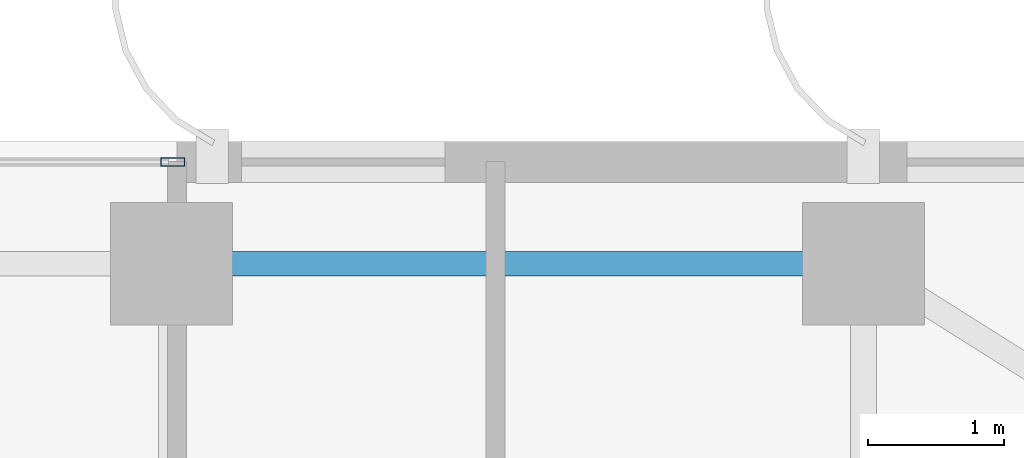
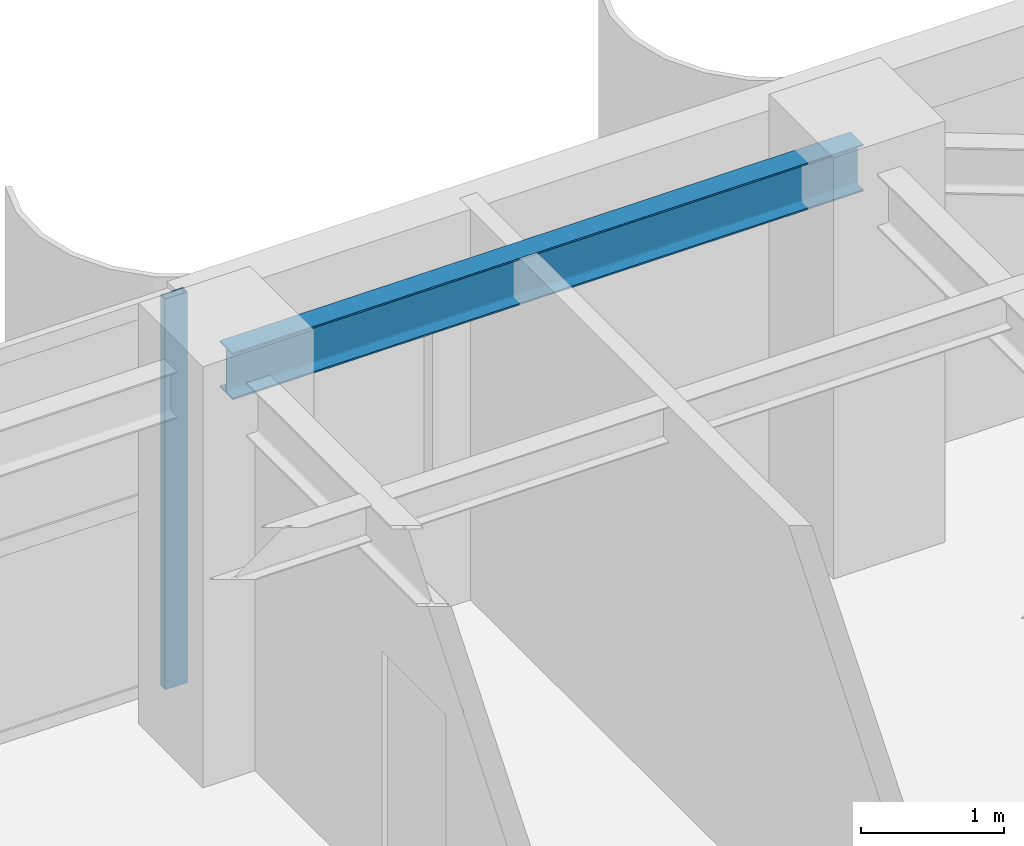
# One storey, part 17 of 25: 1 beam, 1 member, 1 element without a shape of its own.
"""IFC4 building model written with IfcOpenShell, lengths in metres."""

import ifcopenshell
import ifcopenshell.guid

model = None  # the IFC model being written
_history = None  # IfcOwnerHistory: only IFC2X3 demands one
_inside = {}  # id of a spatial element -> (the spatial element, [elements in it])
_under = {}  # id of a project, library or spatial element -> (it, [spatial elements below it])
_declared = {}  # id of a project -> (the project, [libraries it declares])
_typed = {}  # id of a type object -> (the type object, [elements of that type])
_made_of = {}  # id of a material, layer set ... -> (it, [elements and type objects made of it])


def new_model(schema):
    """Start an empty IFC model of exactly this schema.

    Asked for "IFC4X3", IfcOpenShell would pick the latest addendum, in which some entities
    have other attributes; the version numbers below select the first issue.
    IFC2X3 requires an IfcOwnerHistory on every rooted entity: one is made here for all.
    """
    global model, _history
    if schema == "IFC4X3":
        model = ifcopenshell.file(schema_version=(4, 3, 0, 0))
    else:
        model = ifcopenshell.file(schema=schema)
    _inside.clear()
    _under.clear()
    _declared.clear()
    _typed.clear()
    _made_of.clear()
    _history = None
    if model.schema == "IFC2X3":
        org = make("IfcOrganization", Name="unknown")
        user = make(
            "IfcPersonAndOrganization",
            ThePerson=make("IfcPerson", FamilyName="unknown"),
            TheOrganization=org,
        )
        app = make(
            "IfcApplication",
            ApplicationDeveloper=org,
            Version="unknown",
            ApplicationFullName="unknown",
            ApplicationIdentifier="unknown",
        )
        _history = make(
            "IfcOwnerHistory",
            OwningUser=user,
            OwningApplication=app,
            ChangeAction="ADDED",
            CreationDate=0,
        )
    return model


def make(cls, **values):
    """One entity of the class cls with the attributes given. An attribute that is None is left unset."""
    return model.create_entity(
        cls, **{name: value for name, value in values.items() if value is not None}
    )


def rooted(cls, **values):
    """An entity with a GlobalId (a new one), such as an element, a storey or a relation."""
    return make(cls, GlobalId=ifcopenshell.guid.new(), OwnerHistory=_history, **values)


def si_unit(unit_type, name, prefix=None):
    """IfcSIUnit, for example si_unit("LENGTHUNIT", "METRE", prefix="MILLI")."""
    return make("IfcSIUnit", UnitType=unit_type, Prefix=prefix, Name=name)


def assignment(units):
    """IfcUnitAssignment: the units of a project."""
    return None if units is None else make("IfcUnitAssignment", Units=units)


def point(xyz):
    """IfcCartesianPoint."""
    return None if xyz is None else make("IfcCartesianPoint", Coordinates=xyz)


def direction(xyz):
    """IfcDirection."""
    return None if xyz is None else make("IfcDirection", DirectionRatios=xyz)


def frame(location, z_axis=None, x_axis=None):
    """IfcAxis2Placement3D, a coordinate frame: its origin and axes. An axis left out is left unset."""
    return make(
        "IfcAxis2Placement3D",
        Location=point(location),
        Axis=direction(z_axis),
        RefDirection=direction(x_axis),
    )


def frame_2d(location, x_axis=None):
    """IfcAxis2Placement2D, a coordinate frame in the plane: its origin and x axis."""
    return make(
        "IfcAxis2Placement2D", Location=point(location), RefDirection=direction(x_axis)
    )


def origin():
    """The frame at (0, 0, 0) with its axes left unset."""
    return frame((0.0, 0.0, 0.0))


def origin_2d():
    """The frame at (0, 0) in the plane with its x axis left unset."""
    return frame_2d((0.0, 0.0))


def place(relative_to, where):
    """IfcLocalPlacement: puts the frame where relative to a parent placement (None: the world)."""
    return make(
        "IfcLocalPlacement", PlacementRelTo=relative_to, RelativePlacement=where
    )


def context(
    kind, dimensions, precision=None, world=None, true_north=None, identifier=None
):
    """IfcGeometricRepresentationContext, for example the 3D "Model" context."""
    return make(
        "IfcGeometricRepresentationContext",
        ContextIdentifier=identifier,
        ContextType=kind,
        CoordinateSpaceDimension=dimensions,
        Precision=precision,
        WorldCoordinateSystem=world,
        TrueNorth=true_north,
    )


def subcontext(parent, identifier, kind, view, scale=None):
    """IfcGeometricRepresentationSubContext, for example "Body" below "Model"."""
    return make(
        "IfcGeometricRepresentationSubContext",
        ContextIdentifier=identifier,
        ContextType=kind,
        ParentContext=parent,
        TargetScale=scale,
        TargetView=view,
    )


def project(units=None, contexts=None):
    """IfcProject with its units and contexts."""
    return rooted(
        "IfcProject",
        Name="project",
        RepresentationContexts=contexts,
        UnitsInContext=assignment(units),
    )


def spatial(cls, under=None, at=None, **own):
    """A site, building, storey or space (cls), placed at a placement, below another one or the project."""
    s = rooted(cls, ObjectPlacement=at, **own)
    if under is not None:
        _under.setdefault(under.id(), (under, []))[1].append(s)
    return s


def profile(cls, at=None, kind="AREA", **sizes):
    """A parametric profile (cls). Its sizes go by their IFC names, for example OverallWidth=200.0."""
    return make(cls, ProfileType=kind, Position=at, **sizes)


def hollow_rectangle(**sizes):
    """IfcRectangleHollowProfileDef."""
    return profile("IfcRectangleHollowProfileDef", **sizes)


def i_section(**sizes):
    """IfcIShapeProfileDef."""
    return profile("IfcIShapeProfileDef", **sizes)


def extrude(swept, where, along, depth):
    """IfcExtrudedAreaSolid: the profile swept, set in the frame where, extruded along a direction by depth."""
    return make(
        "IfcExtrudedAreaSolid",
        SweptArea=swept,
        Position=where,
        ExtrudedDirection=direction(along),
        Depth=depth,
    )


def shape(context_of_items, identifier, shape_type, items):
    """IfcShapeRepresentation: the items that make up one representation, for example the "Body"."""
    return make(
        "IfcShapeRepresentation",
        ContextOfItems=context_of_items,
        RepresentationIdentifier=identifier,
        RepresentationType=shape_type,
        Items=items,
    )


def source(mapping_origin, context_of_items, identifier, shape_type, items):
    """IfcRepresentationMap: a shape defined once, which mapped items show again and again."""
    return make(
        "IfcRepresentationMap",
        MappingOrigin=mapping_origin,
        MappedRepresentation=shape(context_of_items, identifier, shape_type, items),
    )


def transform(
    local_origin,
    x_axis=None,
    y_axis=None,
    z_axis=None,
    scale=None,
    scale2=None,
    scale3=None,
    uniform=True,
):
    """IfcCartesianTransformationOperator3D, or its non-uniform kind. x_axis, y_axis, z_axis: its Axis1, 2, 3."""
    if uniform:
        return make(
            "IfcCartesianTransformationOperator3D",
            Axis1=direction(x_axis),
            Axis2=direction(y_axis),
            LocalOrigin=point(local_origin),
            Scale=scale,
            Axis3=direction(z_axis),
        )
    return make(
        "IfcCartesianTransformationOperator3DnonUniform",
        Axis1=direction(x_axis),
        Axis2=direction(y_axis),
        LocalOrigin=point(local_origin),
        Scale=scale,
        Axis3=direction(z_axis),
        Scale2=scale2,
        Scale3=scale3,
    )


def mapped(mapping_source, mapping_target):
    """IfcMappedItem: shows the shape of a source again, moved by a transform."""
    return make(
        "IfcMappedItem", MappingSource=mapping_source, MappingTarget=mapping_target
    )


def material(Name=None, Category=None):
    """IfcMaterial."""
    return make("IfcMaterial", Name=Name, Category=Category)


def layer(
    of_material, thickness, ventilated=None, Name=None, Category=None, Priority=None
):
    """IfcMaterialLayer: one layer of a wall or slab, of a material (None: an air gap)."""
    return make(
        "IfcMaterialLayer",
        Material=of_material,
        LayerThickness=thickness,
        IsVentilated=ventilated,
        Name=Name,
        Category=Category,
        Priority=Priority,
    )


def layer_set(layers, Name=None):
    """IfcMaterialLayerSet."""
    return make("IfcMaterialLayerSet", MaterialLayers=layers, LayerSetName=Name)


def material_profile(
    of_material, cross_section, Name=None, Category=None, Priority=None
):
    """IfcMaterialProfile: a cross section and its material."""
    return make(
        "IfcMaterialProfile",
        Name=Name,
        Material=of_material,
        Profile=cross_section,
        Priority=Priority,
        Category=Category,
    )


def profile_set(profiles, Name=None, composite=None):
    """IfcMaterialProfileSet."""
    return make(
        "IfcMaterialProfileSet",
        Name=Name,
        MaterialProfiles=profiles,
        CompositeProfile=composite,
    )


def made_of(thing, what):
    """Note that an element or type object is made of a material, layer set ...; save() writes the relation."""
    if what is not None:
        _made_of.setdefault(what.id(), (what, []))[1].append(thing)
    return thing


def type_object(cls, material=None, **own):
    """A type object (cls), such as IfcWallType, which elements share."""
    return made_of(rooted(cls, **own), material)


def element(
    cls,
    number,
    at=None,
    inside=None,
    cuts=None,
    type_object=None,
    material=None,
    context=None,
    identifier="Body",
    shape_type=None,
    held_by="IfcProductDefinitionShape",
    body=None,
    shapes=None,
    **own,
):
    """One element of the class cls, such as IfcWall. Its Tag is "e" and its number.

    at: its placement. inside: the storey or other place that contains it. cuts: it is an
    opening in that element (IfcRelVoidsElement). A single representation is given by context,
    identifier, shape_type and body (its items); several are given by shapes. held_by: the class
    of the entity that holds the representations. save() writes the other relations.
    """
    e = rooted(cls, Tag="e%d" % number, ObjectPlacement=at, **own)
    if body is not None:
        shapes = [shape(context, identifier, shape_type, body)]
    if shapes is not None:
        e.Representation = make(held_by, Representations=shapes)
    if inside is not None:
        _inside.setdefault(inside.id(), (inside, []))[1].append(e)
    if cuts is not None:
        rooted(
            "IfcRelVoidsElement", RelatingBuildingElement=cuts, RelatedOpeningElement=e
        )
    if type_object is not None:
        _typed.setdefault(type_object.id(), (type_object, []))[1].append(e)
    return made_of(e, material)


def aggregate(whole, parts):
    """IfcRelAggregates: a whole, such as a stair, and the parts it consists of."""
    return rooted("IfcRelAggregates", RelatingObject=whole, RelatedObjects=parts)


def save(model, path):
    """Write the relations noted so far, then the file.

    IfcRelAggregates (storeys below a building ...), IfcRelContainedInSpatialStructure (elements
    in a storey), IfcRelDefinesByType, IfcRelAssociatesMaterial and IfcRelDeclares: one each for
    every whole, place, type object, material and project.
    """
    for whole, parts in _under.values():
        aggregate(whole, parts)
    for where, things in _inside.values():
        rooted(
            "IfcRelContainedInSpatialStructure",
            RelatedElements=things,
            RelatingStructure=where,
        )
    for kind, things in _typed.values():
        rooted("IfcRelDefinesByType", RelatedObjects=things, RelatingType=kind)
    for what, things in _made_of.values():
        rooted("IfcRelAssociatesMaterial", RelatedObjects=things, RelatingMaterial=what)
    for by, libraries in _declared.values():
        rooted("IfcRelDeclares", RelatingContext=by, RelatedDefinitions=libraries)
    model.write(path)


model = new_model("IFC4")

# Units and contexts
model_context = context("Model", 3, precision=1e-05, world=origin(), true_north=direction((0.0, 1.0)))
body_context = subcontext(model_context, "Body", "Model", "MODEL_VIEW")
ifc_project = project(units=[si_unit("LENGTHUNIT", "METRE"), si_unit("AREAUNIT", "SQUARE_METRE"), si_unit("VOLUMEUNIT", "CUBIC_METRE"), si_unit("PLANEANGLEUNIT", "RADIAN"), si_unit("MASSUNIT", "GRAM", prefix="KILO")], contexts=[model_context])

# Site, building, storey
site_placement = place(None, origin())
site = spatial("IfcSite", under=ifc_project, at=site_placement, CompositionType="ELEMENT")
building_placement = place(site_placement, origin())
building = spatial("IfcBuilding", under=site, at=building_placement, Name="Khoralis Quay Care Tower", CompositionType="ELEMENT")
storey_placement = place(building_placement, frame((0.0, 0.0, 166.5)))
storey = spatial("IfcBuildingStorey", under=building, at=storey_placement, Name="L43", CompositionType="ELEMENT", Elevation=166.5)

# Beam
ifc_material_1 = material(Name="Steel S355", Category="steel")
ifc_material_profile_1 = material_profile(ifc_material_1, i_section(OverallWidth=0.179931640625, OverallDepth=0.39990234375, WebThickness=0.008544921875, FlangeThickness=0.013427734375, FilletRadius=0.02099609375, at=origin_2d()), Name="Steel S355")
ifc_profile_set_1 = profile_set([ifc_material_profile_1], Name="Steel S355")
beam_type = type_object("IfcBeamType", Name="BM-IPE400", PredefinedType="SPANDREL", material=ifc_profile_set_1)
shared_shape_1 = source(origin(), body_context, "Body", "SweptSolid", [
    extrude(i_section(OverallWidth=0.179931640625, OverallDepth=0.39990234375, WebThickness=0.008544921875, FlangeThickness=0.013427734375, FilletRadius=0.02099609375, at=origin_2d()), origin(), (0.0, 0.0, 1.0), 5.10009765625),
])
beam_placement = place(storey_placement, frame((30.89990234375, 41.10009765625, 3.139892578125), z_axis=(1.0, 0.0, 0.0), x_axis=(0.0, 1.0, 0.0)))
element("IfcBeam", 1, at=beam_placement, inside=storey, type_object=beam_type, Name="BM-TSP-L43-08", PredefinedType="SPANDREL", context=body_context, shape_type="MappedRepresentation", body=[
    mapped(shared_shape_1, transform((0.0, 0.0, 0.0), scale=1.0)),
])

# Curtain wall, member
ifc_material_2 = material(Name="Pale anodised aluminium", Category="aluminium")
ifc_layer = layer(ifc_material_2, 0.159912109375)
ifc_layer_set = layer_set([ifc_layer], Name="Pale anodised aluminium")
curtain_wall_type = type_object("IfcCurtainWallType", Name="CW-SYS-Z3", PredefinedType="NOTDEFINED", material=ifc_layer_set)
curtain_wall_placement = place(storey_placement, origin())
curtain_wall = element("IfcCurtainWall", 2, at=curtain_wall_placement, inside=storey, type_object=curtain_wall_type, Name="L43 Unitised Curtain Wall CW-L43-P1-E10", PredefinedType="NOTDEFINED")
ifc_material_profile_2 = material_profile(ifc_material_2, hollow_rectangle(XDim=0.06494140625, YDim=0.179931640625, WallThickness=0.00390625, at=origin_2d()), Name="Pale anodised aluminium")
ifc_profile_set_2 = profile_set([ifc_material_profile_2], Name="Pale anodised aluminium")
member_type = type_object("IfcMemberType", Name="CW-MUL-180", PredefinedType="MULLION", material=ifc_profile_set_2)
shared_shape_2 = source(origin(), body_context, "Body", "SweptSolid", [
    extrude(hollow_rectangle(XDim=0.06494140625, YDim=0.179931640625, WallThickness=0.00390625, at=origin_2d()), origin(), (0.0, 0.0, 1.0), 3.340087890625),
])
member_placement = place(storey_placement, frame((30.909912109375, 41.85009765625, 0.0), z_axis=(0.0, 0.0, 1.0), x_axis=(0.0, -1.0, 0.0)))
member = element("IfcMember", 3, at=member_placement, type_object=member_type, Name="CW3 mullion 1", PredefinedType="MULLION", context=body_context, shape_type="MappedRepresentation", body=[
    mapped(shared_shape_2, transform((0.0, 0.0, 0.0), scale=1.0)),
])
aggregate(curtain_wall, [member])

save(model, "model.ifc")
